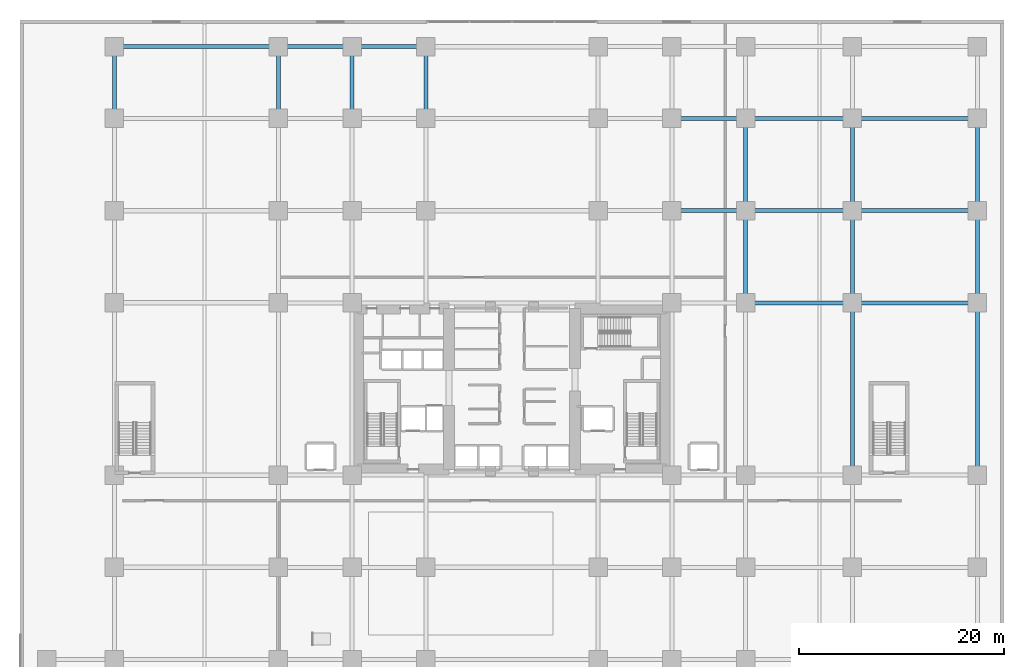
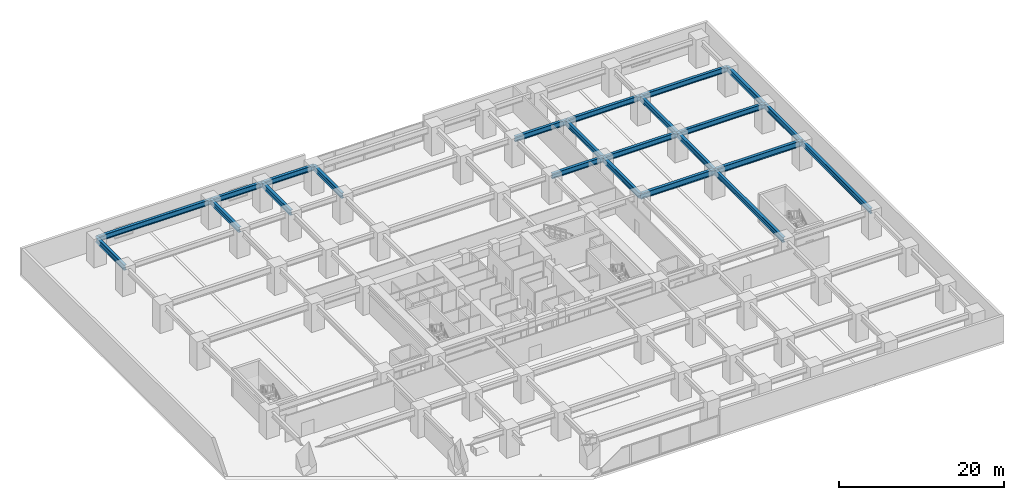
# One storey, part 6 of 22: 23 beams.
"""IFC4 building model written with IfcOpenShell, lengths in metres."""

from ifc_helpers import new_model, si_unit, direction, frame, origin, origin_2d, place, context, subcontext, project, spatial, i_section, extrude, material, material_profile, profile_set, type_object, element, save


model = new_model("IFC4")

# Units and contexts
model_context = context("Model", 3, precision=1e-05, world=origin(), true_north=direction((0.0, 1.0)))
body_context = subcontext(model_context, "Body", "Model", "MODEL_VIEW")
ifc_project = project(units=[si_unit("LENGTHUNIT", "METRE"), si_unit("AREAUNIT", "SQUARE_METRE"), si_unit("VOLUMEUNIT", "CUBIC_METRE"), si_unit("PLANEANGLEUNIT", "RADIAN"), si_unit("MASSUNIT", "GRAM", prefix="KILO")], contexts=[model_context])

# Site, building, storey
site_placement = place(None, origin())
site = spatial("IfcSite", under=ifc_project, at=site_placement, CompositionType="ELEMENT")
building_placement = place(site_placement, origin())
building = spatial("IfcBuilding", under=site, at=building_placement, Name="Kiyonajd Concourse Tower", CompositionType="ELEMENT")
storey_placement = place(building_placement, frame((0.0, 0.0, 12.89990234375)))
storey = spatial("IfcBuildingStorey", under=building, at=storey_placement, Name="L04", CompositionType="ELEMENT", Elevation=12.89990234375)

# Beams
ifc_material = material(Name="Steel ASTM A992 Grade 50", Category="steel")
ifc_material_profile_1 = material_profile(ifc_material, i_section(OverallWidth=0.381103515625, OverallDepth=0.77294921875, WebThickness=0.0166015625, FlangeThickness=0.027099609375, at=origin_2d()), Name="W760X257")
ifc_profile_set_1 = profile_set([ifc_material_profile_1], Name="Steel ASTM A992 Grade 50")
beam_type_1 = type_object("IfcBeamType", Name="BM-POD-760", PredefinedType="BEAM", material=ifc_profile_set_1)
beam_1_placement = place(storey_placement, frame((63.60009765625, 53.39990234375, 3.45361328125), z_axis=(1.0, 0.0, 0.0), x_axis=(0.0, 1.0, 0.0)))
element("IfcBeam", 1, at=beam_1_placement, inside=storey, type_object=beam_type_1, Name="L04 Podium Primary Beam", PredefinedType="BEAM", context=body_context, shape_type="SweptSolid", body=[
    extrude(i_section(OverallWidth=0.381103515625, OverallDepth=0.77294921875, WebThickness=0.0166015625, FlangeThickness=0.027099609375, at=origin_2d()), origin(), (0.0, 0.0, 1.0), 7.199951171875),
])
beam_2_placement = place(storey_placement, frame((70.800048828125, 53.39990234375, 3.45361328125), z_axis=(1.0, 0.0, 0.0), x_axis=(0.0, 1.0, 0.0)))
element("IfcBeam", 2, at=beam_2_placement, inside=storey, type_object=beam_type_1, Name="L04 Podium Primary Beam", PredefinedType="BEAM", context=body_context, shape_type="SweptSolid", body=[
    extrude(i_section(OverallWidth=0.381103515625, OverallDepth=0.77294921875, WebThickness=0.0166015625, FlangeThickness=0.027099609375, at=origin_2d()), origin(), (0.0, 0.0, 1.0), 10.39990234375),
])
beam_3_placement = place(storey_placement, frame((81.199951171875, 53.39990234375, 3.45361328125), z_axis=(1.0, 0.0, 0.0), x_axis=(0.0, 1.0, 0.0)))
element("IfcBeam", 3, at=beam_3_placement, inside=storey, type_object=beam_type_1, Name="L04 Podium Primary Beam", PredefinedType="BEAM", context=body_context, shape_type="SweptSolid", body=[
    extrude(i_section(OverallWidth=0.381103515625, OverallDepth=0.77294921875, WebThickness=0.0166015625, FlangeThickness=0.027099609375, at=origin_2d()), origin(), (0.0, 0.0, 1.0), 12.199951171875),
])
beam_4_placement = place(storey_placement, frame((63.60009765625, 62.39990234375, 3.45361328125), z_axis=(1.0, 0.0, 0.0), x_axis=(0.0, 1.0, 0.0)))
element("IfcBeam", 4, at=beam_4_placement, inside=storey, type_object=beam_type_1, Name="L04 Podium Primary Beam", PredefinedType="BEAM", context=body_context, shape_type="SweptSolid", body=[
    extrude(i_section(OverallWidth=0.381103515625, OverallDepth=0.77294921875, WebThickness=0.0166015625, FlangeThickness=0.027099609375, at=origin_2d()), origin(), (0.0, 0.0, 1.0), 7.199951171875),
])
beam_5_placement = place(storey_placement, frame((70.800048828125, 62.39990234375, 3.45361328125), z_axis=(1.0, 0.0, 0.0), x_axis=(0.0, 1.0, 0.0)))
element("IfcBeam", 5, at=beam_5_placement, inside=storey, type_object=beam_type_1, Name="L04 Podium Primary Beam", PredefinedType="BEAM", context=body_context, shape_type="SweptSolid", body=[
    extrude(i_section(OverallWidth=0.381103515625, OverallDepth=0.77294921875, WebThickness=0.0166015625, FlangeThickness=0.027099609375, at=origin_2d()), origin(), (0.0, 0.0, 1.0), 10.39990234375),
])
beam_6_placement = place(storey_placement, frame((81.199951171875, 62.39990234375, 3.45361328125), z_axis=(1.0, 0.0, 0.0), x_axis=(0.0, 1.0, 0.0)))
element("IfcBeam", 6, at=beam_6_placement, inside=storey, type_object=beam_type_1, Name="L04 Podium Primary Beam", PredefinedType="BEAM", context=body_context, shape_type="SweptSolid", body=[
    extrude(i_section(OverallWidth=0.381103515625, OverallDepth=0.77294921875, WebThickness=0.0166015625, FlangeThickness=0.027099609375, at=origin_2d()), origin(), (0.0, 0.0, 1.0), 12.199951171875),
])
beam_7_placement = place(storey_placement, frame((9.199951171875, 69.39990234375, 3.45361328125), z_axis=(1.0, 0.0, 0.0), x_axis=(0.0, 1.0, 0.0)))
element("IfcBeam", 7, at=beam_7_placement, inside=storey, type_object=beam_type_1, Name="L04 Podium Primary Beam", PredefinedType="BEAM", context=body_context, shape_type="SweptSolid", body=[
    extrude(i_section(OverallWidth=0.381103515625, OverallDepth=0.77294921875, WebThickness=0.0166015625, FlangeThickness=0.027099609375, at=origin_2d()), origin(), (0.0, 0.0, 1.0), 16.0),
])
beam_8_placement = place(storey_placement, frame((25.199951171875, 69.39990234375, 3.45361328125), z_axis=(1.0, 0.0, 0.0), x_axis=(0.0, 1.0, 0.0)))
element("IfcBeam", 8, at=beam_8_placement, inside=storey, type_object=beam_type_1, Name="L04 Podium Primary Beam", PredefinedType="BEAM", context=body_context, shape_type="SweptSolid", body=[
    extrude(i_section(OverallWidth=0.381103515625, OverallDepth=0.77294921875, WebThickness=0.0166015625, FlangeThickness=0.027099609375, at=origin_2d()), origin(), (0.0, 0.0, 1.0), 7.199951171875),
])
beam_9_placement = place(storey_placement, frame((32.39990234375, 69.39990234375, 3.45361328125), z_axis=(1.0, 0.0, 0.0), x_axis=(0.0, 1.0, 0.0)))
element("IfcBeam", 9, at=beam_9_placement, inside=storey, type_object=beam_type_1, Name="L04 Podium Primary Beam", PredefinedType="BEAM", context=body_context, shape_type="SweptSolid", body=[
    extrude(i_section(OverallWidth=0.381103515625, OverallDepth=0.77294921875, WebThickness=0.0166015625, FlangeThickness=0.027099609375, at=origin_2d()), origin(), (0.0, 0.0, 1.0), 7.2001953125),
])
for number, where, z_axis, x_axis, name in (
    (10, (9.199951171875, 62.39990234375, 3.45361328125), (0.0, 1.0, 0.0), (-1.0, 0.0, 0.0), "L04 Podium North South Beam"),
    (11, (25.199951171875, 62.39990234375, 3.45361328125), (0.0, 1.0, 0.0), (-1.0, 0.0, 0.0), "L04 Podium North South Beam"),
    (12, (32.39990234375, 62.39990234375, 3.45361328125), (0.0, 1.0, 0.0), (-1.0, 0.0, 0.0), "L04 Podium North South Beam"),
    (13, (39.60009765625, 62.39990234375, 3.45361328125), (0.0, 1.0, 0.0), (-1.0, 0.0, 0.0), "L04 Podium North South Beam"),
):
    element("IfcBeam", number, at=place(storey_placement, frame(where, z_axis=z_axis, x_axis=x_axis)), inside=storey, type_object=beam_type_1, Name=name, PredefinedType="BEAM", context=body_context, shape_type="SweptSolid", body=[
        extrude(i_section(OverallWidth=0.381103515625, OverallDepth=0.77294921875, WebThickness=0.0166015625, FlangeThickness=0.027099609375, at=origin_2d()), origin(), (0.0, 0.0, 1.0), 7.0),
    ])
for number, where, z_axis, x_axis, name in (
    (14, (70.800048828125, 44.39990234375, 3.45361328125), (0.0, 1.0, 0.0), (-1.0, 0.0, 0.0), "L04 Podium North South Beam"),
    (15, (70.800048828125, 53.39990234375, 3.45361328125), (0.0, 1.0, 0.0), (-1.0, 0.0, 0.0), "L04 Podium North South Beam"),
):
    element("IfcBeam", number, at=place(storey_placement, frame(where, z_axis=z_axis, x_axis=x_axis)), inside=storey, type_object=beam_type_1, Name=name, PredefinedType="BEAM", context=body_context, shape_type="SweptSolid", body=[
        extrude(i_section(OverallWidth=0.381103515625, OverallDepth=0.77294921875, WebThickness=0.0166015625, FlangeThickness=0.027099609375, at=origin_2d()), origin(), (0.0, 0.0, 1.0), 9.0),
    ])
beam_10_placement = place(storey_placement, frame((81.199951171875, 27.60009765625, 3.45361328125), z_axis=(0.0, 1.0, 0.0), x_axis=(-1.0, 0.0, 0.0)))
element("IfcBeam", 16, at=beam_10_placement, inside=storey, type_object=beam_type_1, Name="L04 Podium North South Beam", PredefinedType="BEAM", context=body_context, shape_type="SweptSolid", body=[
    extrude(i_section(OverallWidth=0.381103515625, OverallDepth=0.77294921875, WebThickness=0.0166015625, FlangeThickness=0.027099609375, at=origin_2d()), origin(), (0.0, 0.0, 1.0), 16.7998046875),
])
for number, where, z_axis, x_axis, name in (
    (17, (81.199951171875, 44.39990234375, 3.45361328125), (0.0, 1.0, 0.0), (-1.0, 0.0, 0.0), "L04 Podium North South Beam"),
    (18, (81.199951171875, 53.39990234375, 3.45361328125), (0.0, 1.0, 0.0), (-1.0, 0.0, 0.0), "L04 Podium North South Beam"),
):
    element("IfcBeam", number, at=place(storey_placement, frame(where, z_axis=z_axis, x_axis=x_axis)), inside=storey, type_object=beam_type_1, Name=name, PredefinedType="BEAM", context=body_context, shape_type="SweptSolid", body=[
        extrude(i_section(OverallWidth=0.381103515625, OverallDepth=0.77294921875, WebThickness=0.0166015625, FlangeThickness=0.027099609375, at=origin_2d()), origin(), (0.0, 0.0, 1.0), 9.0),
    ])
beam_11_placement = place(storey_placement, frame((93.39990234375, 27.60009765625, 3.45361328125), z_axis=(0.0, 1.0, 0.0), x_axis=(-1.0, 0.0, 0.0)))
element("IfcBeam", 19, at=beam_11_placement, inside=storey, type_object=beam_type_1, Name="L04 Podium North South Beam", PredefinedType="BEAM", context=body_context, shape_type="SweptSolid", body=[
    extrude(i_section(OverallWidth=0.381103515625, OverallDepth=0.77294921875, WebThickness=0.0166015625, FlangeThickness=0.027099609375, at=origin_2d()), origin(), (0.0, 0.0, 1.0), 16.7998046875),
])
for number, where, z_axis, x_axis, name in (
    (20, (93.39990234375, 44.39990234375, 3.45361328125), (0.0, 1.0, 0.0), (-1.0, 0.0, 0.0), "L04 Podium North South Beam"),
    (21, (93.39990234375, 53.39990234375, 3.45361328125), (0.0, 1.0, 0.0), (-1.0, 0.0, 0.0), "L04 Podium North South Beam"),
):
    element("IfcBeam", number, at=place(storey_placement, frame(where, z_axis=z_axis, x_axis=x_axis)), inside=storey, type_object=beam_type_1, Name=name, PredefinedType="BEAM", context=body_context, shape_type="SweptSolid", body=[
        extrude(i_section(OverallWidth=0.381103515625, OverallDepth=0.77294921875, WebThickness=0.0166015625, FlangeThickness=0.027099609375, at=origin_2d()), origin(), (0.0, 0.0, 1.0), 9.0),
    ])
ifc_material_profile_2 = material_profile(ifc_material, i_section(OverallWidth=0.39990234375, OverallDepth=0.85498046875, WebThickness=0.018310546875, FlangeThickness=0.029296875, at=origin_2d()), Name="W840X299")
ifc_profile_set_2 = profile_set([ifc_material_profile_2], Name="Steel ASTM A992 Grade 50")
beam_type_2 = type_object("IfcBeamType", Name="BM-POD-840", PredefinedType="BEAM", material=ifc_profile_set_2)
beam_12_placement = place(storey_placement, frame((70.800048828125, 44.39990234375, 3.41259765625), z_axis=(1.0, 0.0, 0.0), x_axis=(0.0, 1.0, 0.0)))
element("IfcBeam", 22, at=beam_12_placement, inside=storey, type_object=beam_type_2, Name="L04 Podium Primary Beam", PredefinedType="BEAM", context=body_context, shape_type="SweptSolid", body=[
    extrude(i_section(OverallWidth=0.39990234375, OverallDepth=0.85498046875, WebThickness=0.018310546875, FlangeThickness=0.029296875, at=origin_2d()), origin(), (0.0, 0.0, 1.0), 10.39990234375),
])
beam_13_placement = place(storey_placement, frame((81.199951171875, 44.39990234375, 3.41259765625), z_axis=(1.0, 0.0, 0.0), x_axis=(0.0, 1.0, 0.0)))
element("IfcBeam", 23, at=beam_13_placement, inside=storey, type_object=beam_type_2, Name="L04 Podium Primary Beam", PredefinedType="BEAM", context=body_context, shape_type="SweptSolid", body=[
    extrude(i_section(OverallWidth=0.39990234375, OverallDepth=0.85498046875, WebThickness=0.018310546875, FlangeThickness=0.029296875, at=origin_2d()), origin(), (0.0, 0.0, 1.0), 12.199951171875),
])

save(model, "model.ifc")
